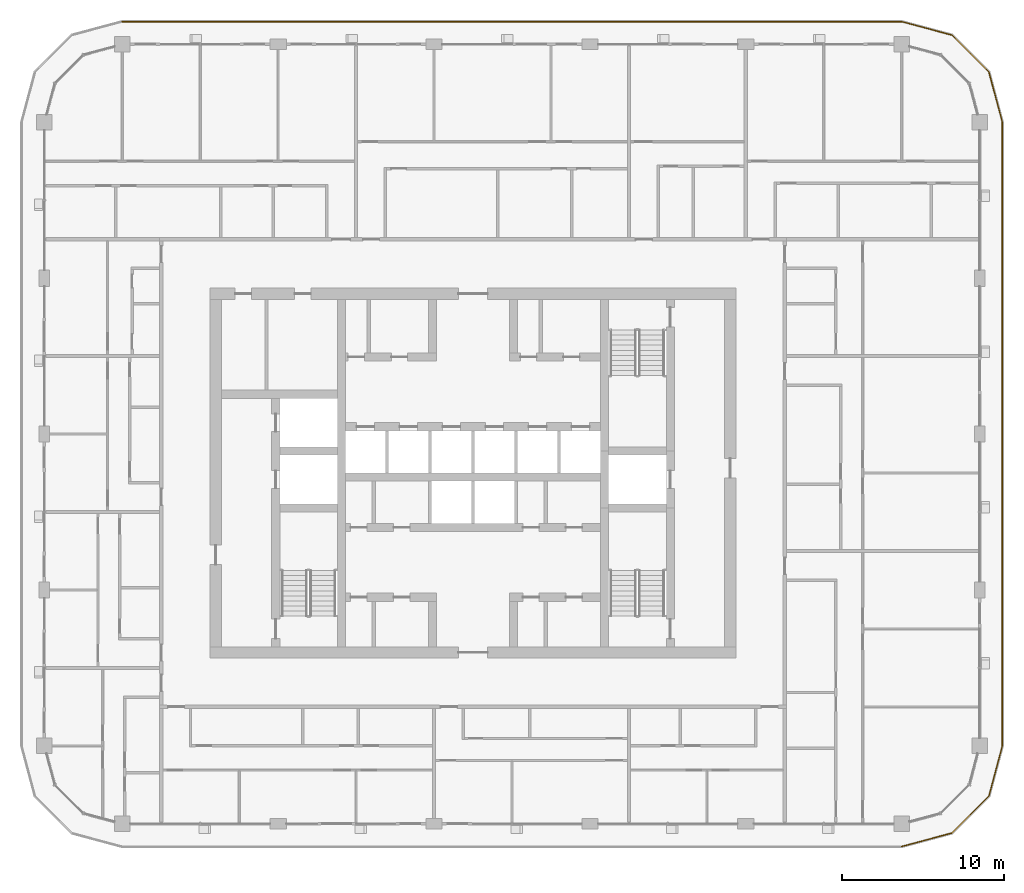
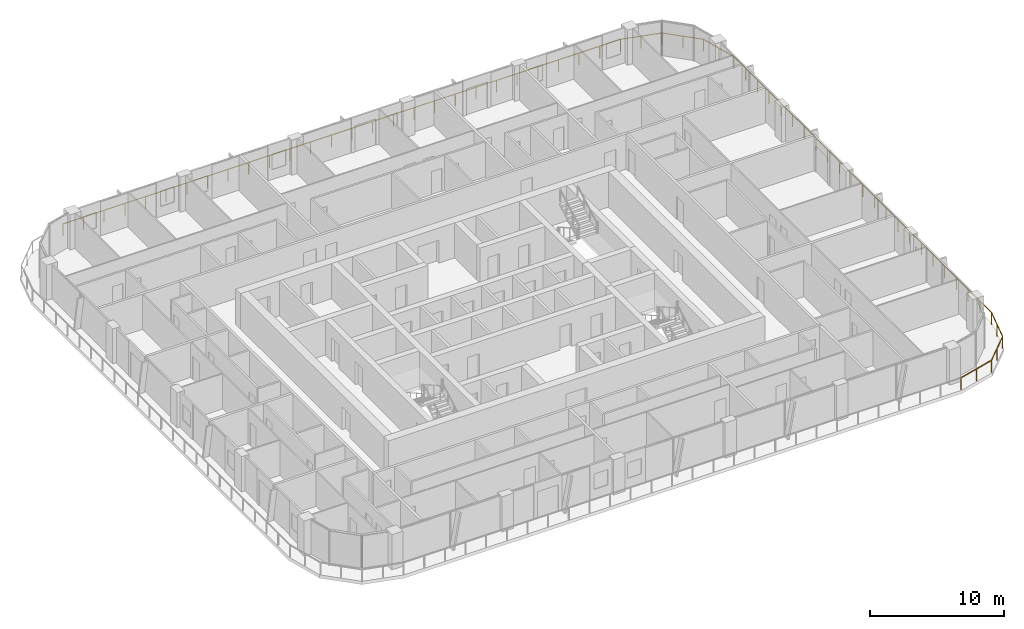
# One storey, part 21 of 23: 1 railing.
"""IFC4 building model written with IfcOpenShell, lengths in metres."""

import ifcopenshell
import ifcopenshell.guid

model = None  # the IFC model being written
_history = None  # IfcOwnerHistory: only IFC2X3 demands one
_inside = {}  # id of a spatial element -> (the spatial element, [elements in it])
_under = {}  # id of a project, library or spatial element -> (it, [spatial elements below it])
_declared = {}  # id of a project -> (the project, [libraries it declares])
_typed = {}  # id of a type object -> (the type object, [elements of that type])
_made_of = {}  # id of a material, layer set ... -> (it, [elements and type objects made of it])


def new_model(schema):
    """Start an empty IFC model of exactly this schema.

    Asked for "IFC4X3", IfcOpenShell would pick the latest addendum, in which some entities
    have other attributes; the version numbers below select the first issue.
    IFC2X3 requires an IfcOwnerHistory on every rooted entity: one is made here for all.
    """
    global model, _history
    if schema == "IFC4X3":
        model = ifcopenshell.file(schema_version=(4, 3, 0, 0))
    else:
        model = ifcopenshell.file(schema=schema)
    _inside.clear()
    _under.clear()
    _declared.clear()
    _typed.clear()
    _made_of.clear()
    _history = None
    if model.schema == "IFC2X3":
        org = make("IfcOrganization", Name="unknown")
        user = make(
            "IfcPersonAndOrganization",
            ThePerson=make("IfcPerson", FamilyName="unknown"),
            TheOrganization=org,
        )
        app = make(
            "IfcApplication",
            ApplicationDeveloper=org,
            Version="unknown",
            ApplicationFullName="unknown",
            ApplicationIdentifier="unknown",
        )
        _history = make(
            "IfcOwnerHistory",
            OwningUser=user,
            OwningApplication=app,
            ChangeAction="ADDED",
            CreationDate=0,
        )
    return model


def make(cls, **values):
    """One entity of the class cls with the attributes given. An attribute that is None is left unset."""
    return model.create_entity(
        cls, **{name: value for name, value in values.items() if value is not None}
    )


def rooted(cls, **values):
    """An entity with a GlobalId (a new one), such as an element, a storey or a relation."""
    return make(cls, GlobalId=ifcopenshell.guid.new(), OwnerHistory=_history, **values)


def si_unit(unit_type, name, prefix=None):
    """IfcSIUnit, for example si_unit("LENGTHUNIT", "METRE", prefix="MILLI")."""
    return make("IfcSIUnit", UnitType=unit_type, Prefix=prefix, Name=name)


def assignment(units):
    """IfcUnitAssignment: the units of a project."""
    return None if units is None else make("IfcUnitAssignment", Units=units)


def point(xyz):
    """IfcCartesianPoint."""
    return None if xyz is None else make("IfcCartesianPoint", Coordinates=xyz)


def direction(xyz):
    """IfcDirection."""
    return None if xyz is None else make("IfcDirection", DirectionRatios=xyz)


def frame(location, z_axis=None, x_axis=None):
    """IfcAxis2Placement3D, a coordinate frame: its origin and axes. An axis left out is left unset."""
    return make(
        "IfcAxis2Placement3D",
        Location=point(location),
        Axis=direction(z_axis),
        RefDirection=direction(x_axis),
    )


def frame_2d(location, x_axis=None):
    """IfcAxis2Placement2D, a coordinate frame in the plane: its origin and x axis."""
    return make(
        "IfcAxis2Placement2D", Location=point(location), RefDirection=direction(x_axis)
    )


def origin():
    """The frame at (0, 0, 0) with its axes left unset."""
    return frame((0.0, 0.0, 0.0))


def origin_2d():
    """The frame at (0, 0) in the plane with its x axis left unset."""
    return frame_2d((0.0, 0.0))


def place(relative_to, where):
    """IfcLocalPlacement: puts the frame where relative to a parent placement (None: the world)."""
    return make(
        "IfcLocalPlacement", PlacementRelTo=relative_to, RelativePlacement=where
    )


def context(
    kind, dimensions, precision=None, world=None, true_north=None, identifier=None
):
    """IfcGeometricRepresentationContext, for example the 3D "Model" context."""
    return make(
        "IfcGeometricRepresentationContext",
        ContextIdentifier=identifier,
        ContextType=kind,
        CoordinateSpaceDimension=dimensions,
        Precision=precision,
        WorldCoordinateSystem=world,
        TrueNorth=true_north,
    )


def subcontext(parent, identifier, kind, view, scale=None):
    """IfcGeometricRepresentationSubContext, for example "Body" below "Model"."""
    return make(
        "IfcGeometricRepresentationSubContext",
        ContextIdentifier=identifier,
        ContextType=kind,
        ParentContext=parent,
        TargetScale=scale,
        TargetView=view,
    )


def project(units=None, contexts=None):
    """IfcProject with its units and contexts."""
    return rooted(
        "IfcProject",
        Name="project",
        RepresentationContexts=contexts,
        UnitsInContext=assignment(units),
    )


def spatial(cls, under=None, at=None, **own):
    """A site, building, storey or space (cls), placed at a placement, below another one or the project."""
    s = rooted(cls, ObjectPlacement=at, **own)
    if under is not None:
        _under.setdefault(under.id(), (under, []))[1].append(s)
    return s


def profile(cls, at=None, kind="AREA", **sizes):
    """A parametric profile (cls). Its sizes go by their IFC names, for example OverallWidth=200.0."""
    return make(cls, ProfileType=kind, Position=at, **sizes)


def circle(**sizes):
    """IfcCircleProfileDef."""
    return profile("IfcCircleProfileDef", **sizes)


def extrude(swept, where, along, depth):
    """IfcExtrudedAreaSolid: the profile swept, set in the frame where, extruded along a direction by depth."""
    return make(
        "IfcExtrudedAreaSolid",
        SweptArea=swept,
        Position=where,
        ExtrudedDirection=direction(along),
        Depth=depth,
    )


def shape(context_of_items, identifier, shape_type, items):
    """IfcShapeRepresentation: the items that make up one representation, for example the "Body"."""
    return make(
        "IfcShapeRepresentation",
        ContextOfItems=context_of_items,
        RepresentationIdentifier=identifier,
        RepresentationType=shape_type,
        Items=items,
    )


def material(Name=None, Category=None):
    """IfcMaterial."""
    return make("IfcMaterial", Name=Name, Category=Category)


def made_of(thing, what):
    """Note that an element or type object is made of a material, layer set ...; save() writes the relation."""
    if what is not None:
        _made_of.setdefault(what.id(), (what, []))[1].append(thing)
    return thing


def type_object(cls, material=None, **own):
    """A type object (cls), such as IfcWallType, which elements share."""
    return made_of(rooted(cls, **own), material)


def element(
    cls,
    number,
    at=None,
    inside=None,
    cuts=None,
    type_object=None,
    material=None,
    context=None,
    identifier="Body",
    shape_type=None,
    held_by="IfcProductDefinitionShape",
    body=None,
    shapes=None,
    **own,
):
    """One element of the class cls, such as IfcWall. Its Tag is "e" and its number.

    at: its placement. inside: the storey or other place that contains it. cuts: it is an
    opening in that element (IfcRelVoidsElement). A single representation is given by context,
    identifier, shape_type and body (its items); several are given by shapes. held_by: the class
    of the entity that holds the representations. save() writes the other relations.
    """
    e = rooted(cls, Tag="e%d" % number, ObjectPlacement=at, **own)
    if body is not None:
        shapes = [shape(context, identifier, shape_type, body)]
    if shapes is not None:
        e.Representation = make(held_by, Representations=shapes)
    if inside is not None:
        _inside.setdefault(inside.id(), (inside, []))[1].append(e)
    if cuts is not None:
        rooted(
            "IfcRelVoidsElement", RelatingBuildingElement=cuts, RelatedOpeningElement=e
        )
    if type_object is not None:
        _typed.setdefault(type_object.id(), (type_object, []))[1].append(e)
    return made_of(e, material)


def aggregate(whole, parts):
    """IfcRelAggregates: a whole, such as a stair, and the parts it consists of."""
    return rooted("IfcRelAggregates", RelatingObject=whole, RelatedObjects=parts)


def save(model, path):
    """Write the relations noted so far, then the file.

    IfcRelAggregates (storeys below a building ...), IfcRelContainedInSpatialStructure (elements
    in a storey), IfcRelDefinesByType, IfcRelAssociatesMaterial and IfcRelDeclares: one each for
    every whole, place, type object, material and project.
    """
    for whole, parts in _under.values():
        aggregate(whole, parts)
    for where, things in _inside.values():
        rooted(
            "IfcRelContainedInSpatialStructure",
            RelatedElements=things,
            RelatingStructure=where,
        )
    for kind, things in _typed.values():
        rooted("IfcRelDefinesByType", RelatedObjects=things, RelatingType=kind)
    for what, things in _made_of.values():
        rooted("IfcRelAssociatesMaterial", RelatedObjects=things, RelatingMaterial=what)
    for by, libraries in _declared.values():
        rooted("IfcRelDeclares", RelatingContext=by, RelatedDefinitions=libraries)
    model.write(path)


model = new_model("IFC4")

# Units and contexts
model_context = context("Model", 3, precision=1e-05, world=origin(), true_north=direction((0.0, 1.0)))
body_context = subcontext(model_context, "Body", "Model", "MODEL_VIEW")
ifc_project = project(units=[si_unit("LENGTHUNIT", "METRE"), si_unit("AREAUNIT", "SQUARE_METRE"), si_unit("VOLUMEUNIT", "CUBIC_METRE"), si_unit("PLANEANGLEUNIT", "RADIAN"), si_unit("MASSUNIT", "GRAM", prefix="KILO")], contexts=[model_context])

# Site, building, storey
site_placement = place(None, origin())
site = spatial("IfcSite", under=ifc_project, at=site_placement, CompositionType="ELEMENT")
building_placement = place(site_placement, origin())
building = spatial("IfcBuilding", under=site, at=building_placement, Name="Madar Terraces", CompositionType="ELEMENT")
storey_placement = place(building_placement, frame((0.0, 0.0, 212.300048828125)))
storey = spatial("IfcBuildingStorey", under=building, at=storey_placement, Name="L55", CompositionType="ELEMENT", Elevation=212.300048828125)

# Railing
ifc_material = material(Name="Glass, safety glazing, with stainless steel posts", Category="steel")
railing_type = type_object("IfcRailingType", Name="Balcony glass guard 1100", PredefinedType="GUARDRAIL", material=ifc_material)
railing_placement = place(storey_placement, frame((57.60009765625, 3.39990234375, 0.0)))
element("IfcRailing", 1, at=railing_placement, inside=storey, type_object=railing_type, Name="Balcony guard", PredefinedType="GUARDRAIL", context=body_context, shape_type="SweptSolid", body=[
    extrude(circle(Radius=0.02392578125, at=origin_2d()), frame((0.0, 0.0, 1.076171875), z_axis=(0.965909675762, 0.25887931217, 0.0), x_axis=(-0.25887931217, 0.965909675762, 0.0)), (0.0, 0.0, 1.0), 3.209228515625),
    extrude(circle(Radius=0.02392578125, at=origin_2d()), frame((3.099853515625, 0.830810546875, 1.076171875), z_axis=(0.707144815061, 0.707068745266, 0.0), x_axis=(-0.707068745266, 0.707144815061, 0.0)), (0.0, 0.0, 1.0), 3.20947265625),
    extrude(circle(Radius=0.02392578125, at=origin_2d()), frame((5.369384765625, 3.10009765625, 1.076171875), z_axis=(0.258789317819, 0.9659337912, 0.0), x_axis=(-0.9659337912, 0.258789317819, 0.0)), (0.0, 0.0, 1.0), 3.20947265625),
    extrude(circle(Radius=0.02392578125, at=origin_2d()), frame((6.199951171875, 6.2001953125, 1.076171875), z_axis=(0.0, 1.0, 0.0), x_axis=(-1.0, 0.0, 0.0)), (0.0, 0.0, 1.0), 38.39990234375),
    extrude(circle(Radius=0.02392578125, at=origin_2d()), frame((6.199951171875, 44.60009765625, 1.076171875), z_axis=(-0.258789317819, 0.9659337912, 0.0), x_axis=(-0.9659337912, -0.258789317819, 0.0)), (0.0, 0.0, 1.0), 3.20947265625),
    extrude(circle(Radius=0.02392578125, at=origin_2d()), frame((5.369384765625, 47.7001953125, 1.076171875), z_axis=(-0.707144815061, 0.707068745266, 0.0), x_axis=(-0.707068745266, -0.707144815061, 0.0)), (0.0, 0.0, 1.0), 3.20947265625),
    extrude(circle(Radius=0.02392578125, at=origin_2d()), frame((3.099853515625, 49.969482421875, 1.076171875), z_axis=(-0.965928696102, 0.258808334578, 0.0), x_axis=(-0.258808334578, -0.965928696102, 0.0)), (0.0, 0.0, 1.0), 3.209228515625),
    extrude(circle(Radius=0.02392578125, at=origin_2d()), frame((0.0, 50.800048828125, 1.076171875), z_axis=(-1.0, 0.0, 0.0), x_axis=(0.0, -1.0, 0.0)), (0.0, 0.0, 1.0), 48.0),
    extrude(circle(Radius=0.02099609375, at=origin_2d()), origin(), (0.0, 0.0, 1.0), 1.052001953125),
    extrude(circle(Radius=0.02099609375, at=origin_2d()), frame((1.5498046875, 0.41552734375, 0.0)), (0.0, 0.0, 1.0), 1.052001953125),
    extrude(circle(Radius=0.02099609375, at=origin_2d()), frame((3.099853515625, 0.830810546875, 0.0)), (0.0, 0.0, 1.0), 1.052001953125),
    extrude(circle(Radius=0.02099609375, at=origin_2d()), frame((4.234619140625, 1.96533203125, 0.0)), (0.0, 0.0, 1.0), 1.052001953125),
    extrude(circle(Radius=0.02099609375, at=origin_2d()), frame((5.369384765625, 3.10009765625, 0.0)), (0.0, 0.0, 1.0), 1.052001953125),
    extrude(circle(Radius=0.02099609375, at=origin_2d()), frame((5.78466796875, 4.650146484375, 0.0)), (0.0, 0.0, 1.0), 1.052001953125),
    extrude(circle(Radius=0.02099609375, at=origin_2d()), frame((6.199951171875, 6.2001953125, 0.0)), (0.0, 0.0, 1.0), 1.052001953125),
    extrude(circle(Radius=0.02099609375, at=origin_2d()), frame((6.199951171875, 7.945556640625, 0.0)), (0.0, 0.0, 1.0), 1.052001953125),
    extrude(circle(Radius=0.02099609375, at=origin_2d()), frame((6.199951171875, 9.691162109375, 0.0)), (0.0, 0.0, 1.0), 1.052001953125),
    extrude(circle(Radius=0.02099609375, at=origin_2d()), frame((6.199951171875, 11.4365234375, 0.0)), (0.0, 0.0, 1.0), 1.052001953125),
    extrude(circle(Radius=0.02099609375, at=origin_2d()), frame((6.199951171875, 13.181884765625, 0.0)), (0.0, 0.0, 1.0), 1.052001953125),
    extrude(circle(Radius=0.02099609375, at=origin_2d()), frame((6.199951171875, 14.927490234375, 0.0)), (0.0, 0.0, 1.0), 1.052001953125),
    extrude(circle(Radius=0.02099609375, at=origin_2d()), frame((6.199951171875, 16.6728515625, 0.0)), (0.0, 0.0, 1.0), 1.052001953125),
    extrude(circle(Radius=0.02099609375, at=origin_2d()), frame((6.199951171875, 18.41845703125, 0.0)), (0.0, 0.0, 1.0), 1.052001953125),
    extrude(circle(Radius=0.02099609375, at=origin_2d()), frame((6.199951171875, 20.163818359375, 0.0)), (0.0, 0.0, 1.0), 1.052001953125),
    extrude(circle(Radius=0.02099609375, at=origin_2d()), frame((6.199951171875, 21.9091796875, 0.0)), (0.0, 0.0, 1.0), 1.052001953125),
    extrude(circle(Radius=0.02099609375, at=origin_2d()), frame((6.199951171875, 23.65478515625, 0.0)), (0.0, 0.0, 1.0), 1.052001953125),
    extrude(circle(Radius=0.02099609375, at=origin_2d()), frame((6.199951171875, 25.400146484375, 0.0)), (0.0, 0.0, 1.0), 1.052001953125),
    extrude(circle(Radius=0.02099609375, at=origin_2d()), frame((6.199951171875, 27.1455078125, 0.0)), (0.0, 0.0, 1.0), 1.052001953125),
    extrude(circle(Radius=0.02099609375, at=origin_2d()), frame((6.199951171875, 28.89111328125, 0.0)), (0.0, 0.0, 1.0), 1.052001953125),
    extrude(circle(Radius=0.02099609375, at=origin_2d()), frame((6.199951171875, 30.636474609375, 0.0)), (0.0, 0.0, 1.0), 1.052001953125),
    extrude(circle(Radius=0.02099609375, at=origin_2d()), frame((6.199951171875, 32.3818359375, 0.0)), (0.0, 0.0, 1.0), 1.052001953125),
    extrude(circle(Radius=0.02099609375, at=origin_2d()), frame((6.199951171875, 34.12744140625, 0.0)), (0.0, 0.0, 1.0), 1.052001953125),
    extrude(circle(Radius=0.02099609375, at=origin_2d()), frame((6.199951171875, 35.872802734375, 0.0)), (0.0, 0.0, 1.0), 1.052001953125),
    extrude(circle(Radius=0.02099609375, at=origin_2d()), frame((6.199951171875, 37.618408203125, 0.0)), (0.0, 0.0, 1.0), 1.052001953125),
    extrude(circle(Radius=0.02099609375, at=origin_2d()), frame((6.199951171875, 39.36376953125, 0.0)), (0.0, 0.0, 1.0), 1.052001953125),
    extrude(circle(Radius=0.02099609375, at=origin_2d()), frame((6.199951171875, 41.109130859375, 0.0)), (0.0, 0.0, 1.0), 1.052001953125),
    extrude(circle(Radius=0.02099609375, at=origin_2d()), frame((6.199951171875, 42.854736328125, 0.0)), (0.0, 0.0, 1.0), 1.052001953125),
    extrude(circle(Radius=0.02099609375, at=origin_2d()), frame((6.199951171875, 44.60009765625, 0.0)), (0.0, 0.0, 1.0), 1.052001953125),
    extrude(circle(Radius=0.02099609375, at=origin_2d()), frame((5.78466796875, 46.150146484375, 0.0)), (0.0, 0.0, 1.0), 1.052001953125),
    extrude(circle(Radius=0.02099609375, at=origin_2d()), frame((5.369384765625, 47.7001953125, 0.0)), (0.0, 0.0, 1.0), 1.052001953125),
    extrude(circle(Radius=0.02099609375, at=origin_2d()), frame((4.234619140625, 48.8349609375, 0.0)), (0.0, 0.0, 1.0), 1.052001953125),
    extrude(circle(Radius=0.02099609375, at=origin_2d()), frame((3.099853515625, 49.969482421875, 0.0)), (0.0, 0.0, 1.0), 1.052001953125),
    extrude(circle(Radius=0.02099609375, at=origin_2d()), frame((1.5498046875, 50.384765625, 0.0)), (0.0, 0.0, 1.0), 1.052001953125),
    extrude(circle(Radius=0.02099609375, at=origin_2d()), frame((0.0, 50.800048828125, 0.0)), (0.0, 0.0, 1.0), 1.052001953125),
    extrude(circle(Radius=0.02099609375, at=origin_2d()), frame((-1.77783203125, 50.800048828125, 0.0)), (0.0, 0.0, 1.0), 1.052001953125),
    extrude(circle(Radius=0.02099609375, at=origin_2d()), frame((-3.5556640625, 50.800048828125, 0.0)), (0.0, 0.0, 1.0), 1.052001953125),
    extrude(circle(Radius=0.02099609375, at=origin_2d()), frame((-5.333251953125, 50.800048828125, 0.0)), (0.0, 0.0, 1.0), 1.052001953125),
    extrude(circle(Radius=0.02099609375, at=origin_2d()), frame((-7.111083984375, 50.800048828125, 0.0)), (0.0, 0.0, 1.0), 1.052001953125),
    extrude(circle(Radius=0.02099609375, at=origin_2d()), frame((-8.888916015625, 50.800048828125, 0.0)), (0.0, 0.0, 1.0), 1.052001953125),
    extrude(circle(Radius=0.02099609375, at=origin_2d()), frame((-10.666748046875, 50.800048828125, 0.0)), (0.0, 0.0, 1.0), 1.052001953125),
    extrude(circle(Radius=0.02099609375, at=origin_2d()), frame((-12.4443359375, 50.800048828125, 0.0)), (0.0, 0.0, 1.0), 1.052001953125),
    extrude(circle(Radius=0.02099609375, at=origin_2d()), frame((-14.22216796875, 50.800048828125, 0.0)), (0.0, 0.0, 1.0), 1.052001953125),
    extrude(circle(Radius=0.02099609375, at=origin_2d()), frame((-16.0, 50.800048828125, 0.0)), (0.0, 0.0, 1.0), 1.052001953125),
    extrude(circle(Radius=0.02099609375, at=origin_2d()), frame((-17.77783203125, 50.800048828125, 0.0)), (0.0, 0.0, 1.0), 1.052001953125),
    extrude(circle(Radius=0.02099609375, at=origin_2d()), frame((-19.5556640625, 50.800048828125, 0.0)), (0.0, 0.0, 1.0), 1.052001953125),
    extrude(circle(Radius=0.02099609375, at=origin_2d()), frame((-21.333251953125, 50.800048828125, 0.0)), (0.0, 0.0, 1.0), 1.052001953125),
    extrude(circle(Radius=0.02099609375, at=origin_2d()), frame((-23.111083984375, 50.800048828125, 0.0)), (0.0, 0.0, 1.0), 1.052001953125),
    extrude(circle(Radius=0.02099609375, at=origin_2d()), frame((-24.888916015625, 50.800048828125, 0.0)), (0.0, 0.0, 1.0), 1.052001953125),
    extrude(circle(Radius=0.02099609375, at=origin_2d()), frame((-26.666748046875, 50.800048828125, 0.0)), (0.0, 0.0, 1.0), 1.052001953125),
    extrude(circle(Radius=0.02099609375, at=origin_2d()), frame((-28.4443359375, 50.800048828125, 0.0)), (0.0, 0.0, 1.0), 1.052001953125),
    extrude(circle(Radius=0.02099609375, at=origin_2d()), frame((-30.22216796875, 50.800048828125, 0.0)), (0.0, 0.0, 1.0), 1.052001953125),
    extrude(circle(Radius=0.02099609375, at=origin_2d()), frame((-32.0, 50.800048828125, 0.0)), (0.0, 0.0, 1.0), 1.052001953125),
    extrude(circle(Radius=0.02099609375, at=origin_2d()), frame((-33.77783203125, 50.800048828125, 0.0)), (0.0, 0.0, 1.0), 1.052001953125),
    extrude(circle(Radius=0.02099609375, at=origin_2d()), frame((-35.5556640625, 50.800048828125, 0.0)), (0.0, 0.0, 1.0), 1.052001953125),
    extrude(circle(Radius=0.02099609375, at=origin_2d()), frame((-37.333251953125, 50.800048828125, 0.0)), (0.0, 0.0, 1.0), 1.052001953125),
    extrude(circle(Radius=0.02099609375, at=origin_2d()), frame((-39.111083984375, 50.800048828125, 0.0)), (0.0, 0.0, 1.0), 1.052001953125),
    extrude(circle(Radius=0.02099609375, at=origin_2d()), frame((-40.888916015625, 50.800048828125, 0.0)), (0.0, 0.0, 1.0), 1.052001953125),
    extrude(circle(Radius=0.02099609375, at=origin_2d()), frame((-42.666748046875, 50.800048828125, 0.0)), (0.0, 0.0, 1.0), 1.052001953125),
    extrude(circle(Radius=0.02099609375, at=origin_2d()), frame((-44.4443359375, 50.800048828125, 0.0)), (0.0, 0.0, 1.0), 1.052001953125),
    extrude(circle(Radius=0.02099609375, at=origin_2d()), frame((-46.22216796875, 50.800048828125, 0.0)), (0.0, 0.0, 1.0), 1.052001953125),
    extrude(circle(Radius=0.02099609375, at=origin_2d()), frame((-48.0, 50.800048828125, 0.0)), (0.0, 0.0, 1.0), 1.052001953125),
])

save(model, "model.ifc")
